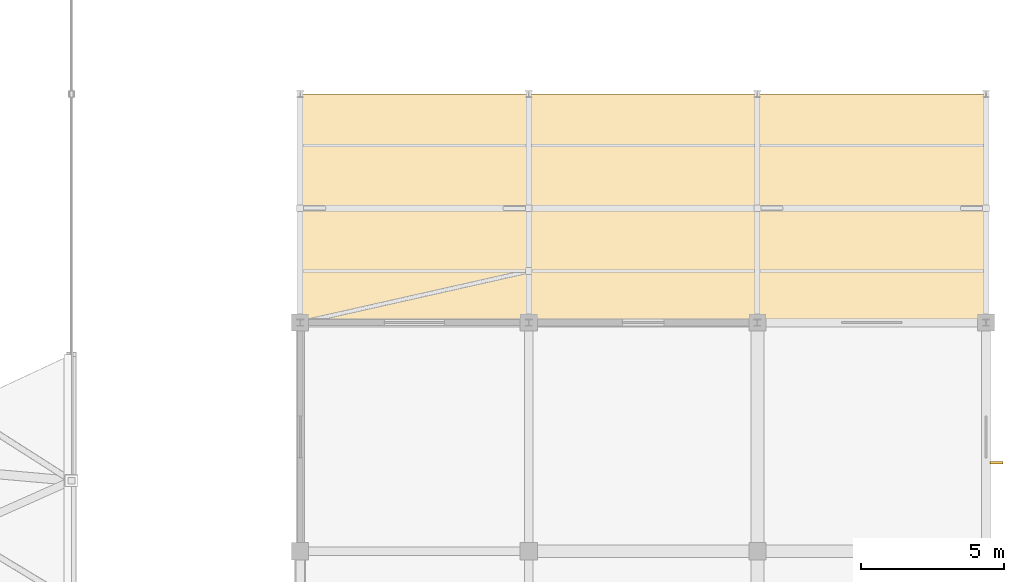
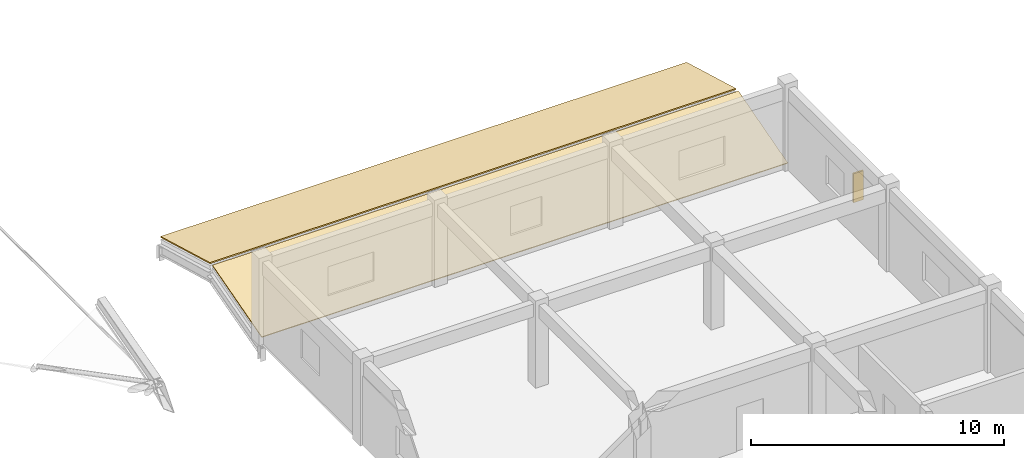
# One storey, part 54 of 54: 2 coverings, 1 shading device.
"""IFC4 building model written with IfcOpenShell, lengths in metres."""

from ifc_helpers import new_model, si_unit, direction, frame, origin, origin_2d, place, context, subcontext, project, spatial, polyline, rectangle, outline, extrude, material, layer, layer_set, type_object, element, save


model = new_model("IFC4")

# Units and contexts
model_context = context("Model", 3, precision=1e-05, world=origin(), true_north=direction((0.0, 1.0)))
body_context = subcontext(model_context, "Body", "Model", "MODEL_VIEW")
ifc_project = project(units=[si_unit("LENGTHUNIT", "METRE"), si_unit("AREAUNIT", "SQUARE_METRE"), si_unit("VOLUMEUNIT", "CUBIC_METRE"), si_unit("PLANEANGLEUNIT", "RADIAN"), si_unit("MASSUNIT", "GRAM", prefix="KILO")], contexts=[model_context])

# Site, building, storey
site_placement = place(None, origin())
site = spatial("IfcSite", under=ifc_project, at=site_placement, CompositionType="ELEMENT")
building_placement = place(site_placement, origin())
building = spatial("IfcBuilding", under=site, at=building_placement, Name="Kenh Van Central Station", CompositionType="ELEMENT")
storey_placement = place(building_placement, frame((0.0, 0.0, 15.0)))
storey = spatial("IfcBuildingStorey", under=building, at=storey_placement, Name="L03", CompositionType="ELEMENT", Elevation=15.0)

# Coverings
ifc_material_1 = material(Name="Standing-seam zinc-aluminium roofing", Category="aluminium")
ifc_layer_1 = layer(ifc_material_1, 0.044921875, Name="Standing-seam zinc-aluminium roofing")
ifc_layer_set_1 = layer_set([ifc_layer_1], Name="Standing-seam zinc-aluminium roofing")
covering_type_1 = type_object("IfcCoveringType", Name="COV-ROOF-SEAM", PredefinedType="ROOFING", material=ifc_layer_set_1)
covering_1_placement = place(storey_placement, frame((152.0, 80.0, 0.139892578125), z_axis=(0.0, -0.271488785727, 0.96244160302), x_axis=(1.0, 0.0, 0.0)))
element("IfcCovering", 1, at=covering_1_placement, inside=storey, type_object=covering_type_1, Name="L03 pitched roof covering 13", PredefinedType="ROOFING", context=body_context, shape_type="SweptSolid", body=[
    extrude(outline(polyline([(0.0, 0.0), (24.0, 0.0), (24.0, 4.052092440218201), (0.0, 4.052092440218201), (0.0, 0.0)])), origin(), (0.0, 0.0, -1.0), 0.044921875),
])
ifc_material_2 = material(Name="Glazed terracotta roof tile", Category="masonry")
ifc_layer_2 = layer(ifc_material_2, 0.054931640625, Name="Glazed terracotta roof tile")
ifc_layer_set_2 = layer_set([ifc_layer_2], Name="Glazed terracotta roof tile")
covering_type_2 = type_object("IfcCoveringType", Name="COV-ROOF-TERRA", PredefinedType="ROOFING", material=ifc_layer_set_2)
covering_2_placement = place(storey_placement, frame((152.0, 84.10009765625, 1.239990234375), z_axis=(0.0, 0.271488785727, 0.96244160302), x_axis=(1.0, 0.0, 0.0)))
element("IfcCovering", 2, at=covering_2_placement, inside=storey, type_object=covering_type_2, Name="L03 pitched roof covering 14", PredefinedType="ROOFING", context=body_context, shape_type="SweptSolid", body=[
    extrude(outline(polyline([(0.0, 0.0), (24.0, 0.0), (24.0, 4.052092440218201), (0.0, 4.052092440218201), (0.0, 0.0)])), origin(), (0.0, 0.0, -1.0), 0.054931640625),
])

# Shading device
ifc_material_3 = material(Name="Precast concrete C40/50", Category="concrete")
shading_device_type = type_object("IfcShadingDeviceType", Name="SHD-FIN-SHT", PredefinedType="SHUTTER", material=ifc_material_3)
shading_device_placement = place(storey_placement, frame((176.3701171875, 75.094970703125, 1.150146484375), z_axis=(0.0, 0.0, 1.0), x_axis=(1.0, 0.0, 0.0)))
element("IfcShadingDevice", 3, at=shading_device_placement, inside=storey, type_object=shading_device_type, Name="L03 vertical brise-soleil fin 025", PredefinedType="SHUTTER", context=body_context, shape_type="SweptSolid", body=[
    extrude(rectangle(XDim=0.449951171875, YDim=0.080078125, at=origin_2d()), origin(), (0.0, 0.0, 1.0), 1.39990234375),
])

save(model, "model.ifc")
